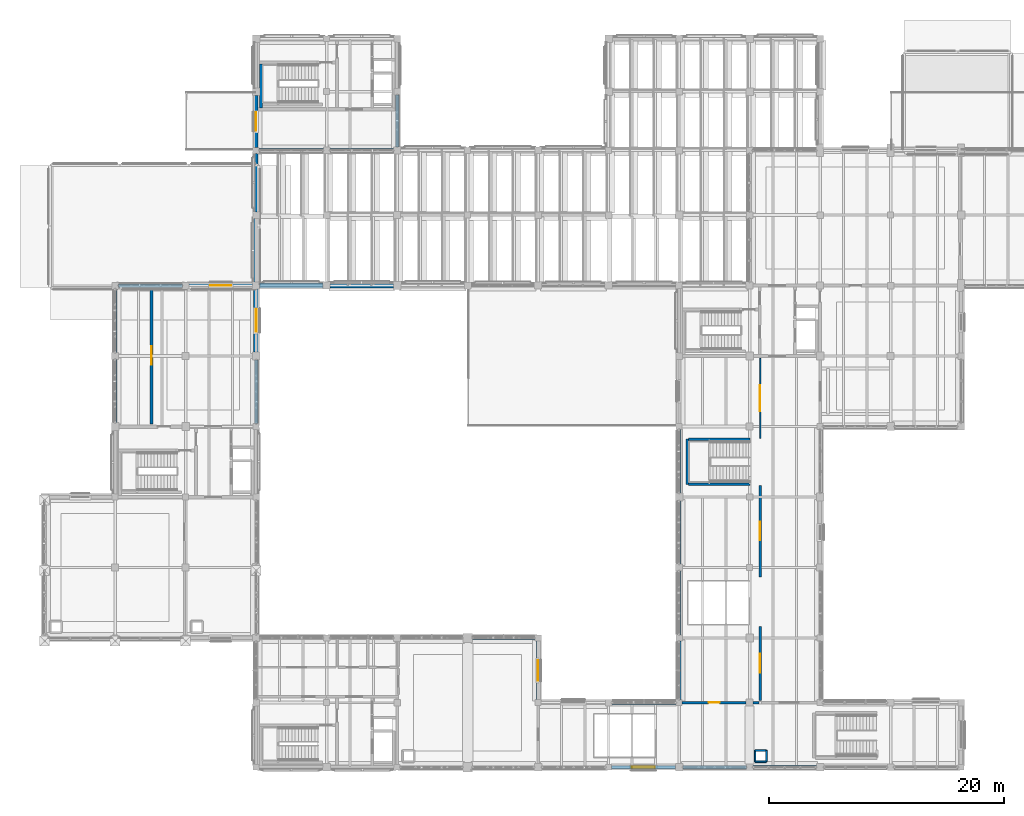
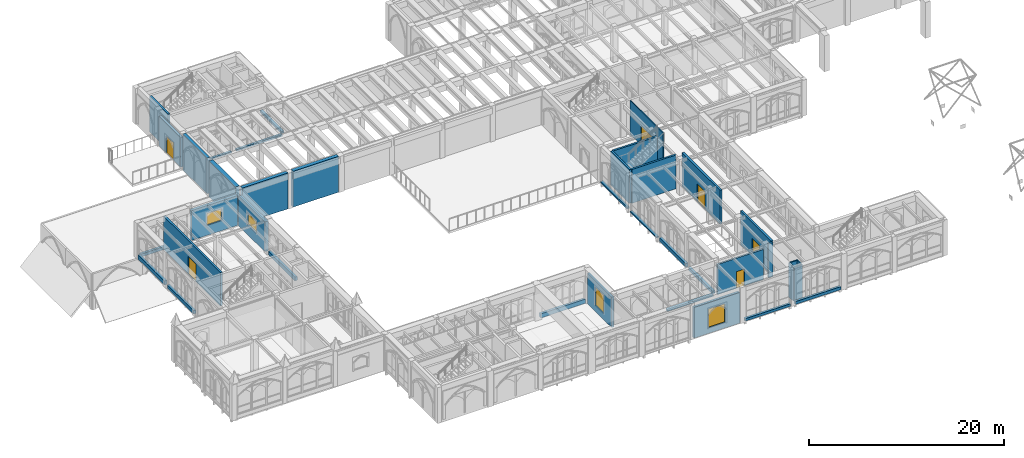
# One storey, part 77 of 127: 38 walls, 6 doors, 4 windows, 10 openings.
"""IFC4 building model written with IfcOpenShell, lengths in metres."""

from ifc_helpers import new_model, si_unit, direction, frame, frame_2d, origin, place, context, subcontext, project, spatial, rectangle, extrude, material, layer, layer_set, type_object, element, fill, save


model = new_model("IFC4")

# Units and contexts
model_context = context("Model", 3, precision=1e-05, world=origin(), true_north=direction((0.0, 1.0)))
body_context = subcontext(model_context, "Body", "Model", "MODEL_VIEW")
ifc_project = project(units=[si_unit("LENGTHUNIT", "METRE"), si_unit("AREAUNIT", "SQUARE_METRE"), si_unit("VOLUMEUNIT", "CUBIC_METRE"), si_unit("PLANEANGLEUNIT", "RADIAN"), si_unit("MASSUNIT", "GRAM", prefix="KILO")], contexts=[model_context])

# Site, building, storey
site_placement = place(None, origin())
site = spatial("IfcSite", under=ifc_project, at=site_placement, CompositionType="ELEMENT")
building_placement = place(site_placement, origin())
building = spatial("IfcBuilding", under=site, at=building_placement, Name="Cumevento Cable Car Station", CompositionType="ELEMENT")
storey_placement = place(building_placement, frame((0.0, 0.0, 4.5)))
storey = spatial("IfcBuildingStorey", under=building, at=storey_placement, Name="L02", CompositionType="ELEMENT", Elevation=4.5)

# Wall, opening, window
ifc_material_1 = material(Name="Gnaisse Facoidal Stone Ashlar 85 MPa", Category="masonry")
ifc_layer_1 = layer(ifc_material_1, 0.264892578125)
ifc_layer_set_1 = layer_set([ifc_layer_1], Name="Gnaisse Facoidal Stone Ashlar 85 MPa")
wall_type_1 = type_object("IfcWallType", Name="Exterior Envelope Wall EW-265 265", PredefinedType="SOLIDWALL", material=ifc_layer_set_1)
wall_1_placement = place(storey_placement, frame((46.0, 14.72509765625, 0.0), z_axis=(0.0, 0.0, 1.0), x_axis=(0.0, -1.0, 0.0)))
wall_1 = element("IfcWall", 1, at=wall_1_placement, inside=storey, type_object=wall_type_1, Name="Exterior Wall EW-265 L02 #91", PredefinedType="SOLIDWALL", context=body_context, shape_type="SweptSolid", body=[
    extrude(rectangle(XDim=4.97509765625, YDim=0.264892578125, at=frame_2d((2.487548828125, 0.0))), origin(), (0.0, 0.0, 1.0), 3.80908203125),
])
opening_1_placement = place(wall_1_placement, frame((1.612548828125, 0.0, 0.75)))
opening_1 = element("IfcOpeningElement", 2, at=opening_1_placement, cuts=wall_1, Name="Opening WN-L02-034", PredefinedType="OPENING", context=body_context, shape_type="SweptSolid", body=[
    extrude(rectangle(XDim=1.75, YDim=2.300048828125, at=frame_2d((0.875, 1.14990234375))), frame((0.0, 0.142333984375, 0.0), z_axis=(0.0, -1.0, 0.0), x_axis=(1.0, 0.0, 0.0)), (0.0, 0.0, 1.0), 0.284912109375),
])
ifc_material_2 = material(Name="Anodised Bronze Aluminium & Laminated Solar Glass", Category="aluminium")
window_type_1 = type_object("IfcWindowType", Name="Lancet Window WN-10 1750x2300", PartitioningType="DOUBLE_PANEL_VERTICAL", PredefinedType="WINDOW", material=ifc_material_2)
window_1_placement = place(opening_1_placement, origin())
window_1 = element("IfcWindow", 3, at=window_1_placement, inside=storey, type_object=window_type_1, Name="Lancet Window WN-L02-034 (WN-10)", OverallHeight=2.300048828125, OverallWidth=1.75, PartitioningType="SINGLE_PANEL", PredefinedType="WINDOW", context=body_context, shape_type="SweptSolid", body=[
    extrude(rectangle(XDim=1.75, YDim=2.300048828125, at=frame_2d((0.875, 1.14990234375))), frame((0.0, 0.030029296875, 0.0), z_axis=(0.0, -1.0, 0.0), x_axis=(1.0, 0.0, 0.0)), (0.0, 0.0, 1.0), 0.06005859375),
])
fill(opening_1, window_1)

# Walls
ifc_material_3 = material(Name="Gnaisse Facoidal Stone Ashlar 85 MPa", Category="masonry")
ifc_layer_2 = layer(ifc_material_3, 0.294921875)
ifc_layer_set_2 = layer_set([ifc_layer_2], Name="Gnaisse Facoidal Stone Ashlar 85 MPa")
wall_type_2 = type_object("IfcWallType", Name="Exterior Envelope Wall EW-295 295", PredefinedType="SOLIDWALL", material=ifc_layer_set_2)
wall_2_placement = place(storey_placement, frame((40.39990234375, 15.0, 0.0), z_axis=(0.0, 0.0, 1.0), x_axis=(1.0, 0.0, 0.0)))
element("IfcWall", 4, at=wall_2_placement, inside=storey, type_object=wall_type_2, Name="Exterior Sill Curb Wall EW-295 L02 #88", PredefinedType="SOLIDWALL", context=body_context, shape_type="SweptSolid", body=[
    extrude(rectangle(XDim=5.3251953125, YDim=0.294921875, at=frame_2d((2.66259765625, 0.0))), origin(), (0.0, 0.0, 1.0), 0.52001953125),
])
wall_3_placement = place(storey_placement, frame((52.27490234375, 9.5, 0.0), z_axis=(0.0, 0.0, 1.0), x_axis=(1.0, 0.0, 0.0)))
element("IfcWall", 5, at=wall_3_placement, inside=storey, type_object=wall_type_2, Name="Exterior Sill Curb Wall EW-295 L02 #95", PredefinedType="SOLIDWALL", context=body_context, shape_type="SweptSolid", body=[
    extrude(rectangle(XDim=5.47509765625, YDim=0.294921875, at=frame_2d((2.737548828125, 0.0))), origin(), (0.0, 0.0, 1.0), 0.260009765625),
])
wall_4_placement = place(storey_placement, frame((63.72509765625, 4.0, 0.0), z_axis=(0.0, 0.0, 1.0), x_axis=(-1.0, 0.0, 0.0)))
element("IfcWall", 6, at=wall_4_placement, inside=storey, type_object=wall_type_2, Name="Exterior Sill Curb Wall EW-295 L02 #96", PredefinedType="SOLIDWALL", context=body_context, shape_type="SweptSolid", body=[
    extrude(rectangle(XDim=5.400146484375, YDim=0.294921875, at=frame_2d((2.7001953125, 0.0))), origin(), (0.0, 0.0, 1.0), 0.31005859375),
])
wall_5_placement = place(storey_placement, frame((69.675048828125, 4.0, 0.0), z_axis=(0.0, 0.0, 1.0), x_axis=(-1.0, 0.0, 0.0)))
element("IfcWall", 7, at=wall_5_placement, inside=storey, type_object=wall_type_2, Name="Exterior Sill Curb Wall EW-295 L02 #97", PredefinedType="SOLIDWALL", context=body_context, shape_type="SweptSolid", body=[
    extrude(rectangle(XDim=5.400146484375, YDim=0.294921875, at=frame_2d((2.7001953125, 0.0))), origin(), (0.0, 0.0, 1.0), 0.360107421875),
])
wall_6_placement = place(storey_placement, frame((58.0, 9.75, 0.0), z_axis=(0.0, 0.0, 1.0), x_axis=(0.0, 1.0, 0.0)))
element("IfcWall", 8, at=wall_6_placement, inside=storey, type_object=wall_type_2, Name="Exterior Sill Curb Wall EW-295 L02 #110", PredefinedType="SOLIDWALL", context=body_context, shape_type="SweptSolid", body=[
    extrude(rectangle(XDim=4.97509765625, YDim=0.294921875, at=frame_2d((2.487548828125, 0.0))), origin(), (0.0, 0.0, 1.0), 0.360107421875),
])
wall_7_placement = place(storey_placement, frame((58.0, 15.27490234375, 0.0), z_axis=(0.0, 0.0, 1.0), x_axis=(0.0, 1.0, 0.0)))
element("IfcWall", 9, at=wall_7_placement, inside=storey, type_object=wall_type_2, Name="Exterior Sill Curb Wall EW-295 L02 #112", PredefinedType="SOLIDWALL", context=body_context, shape_type="SweptSolid", body=[
    extrude(rectangle(XDim=5.425048828125, YDim=0.294921875, at=frame_2d((2.71240234375, 0.0))), origin(), (0.0, 0.0, 1.0), 0.4599609375),
])
wall_8_placement = place(storey_placement, frame((58.0, 21.300048828125, 0.0), z_axis=(0.0, 0.0, 1.0), x_axis=(0.0, 1.0, 0.0)))
element("IfcWall", 10, at=wall_8_placement, inside=storey, type_object=wall_type_2, Name="Exterior Sill Curb Wall EW-295 L02 #114", PredefinedType="SOLIDWALL", context=body_context, shape_type="SweptSolid", body=[
    extrude(rectangle(XDim=5.375, YDim=0.294921875, at=frame_2d((2.6875, 0.0))), origin(), (0.0, 0.0, 1.0), 0.159912109375),
])
wall_9_placement = place(storey_placement, frame((58.0, 27.324951171875, 0.0), z_axis=(0.0, 0.0, 1.0), x_axis=(0.0, 1.0, 0.0)))
element("IfcWall", 11, at=wall_9_placement, inside=storey, type_object=wall_type_2, Name="Exterior Sill Curb Wall EW-295 L02 #116", PredefinedType="SOLIDWALL", context=body_context, shape_type="SweptSolid", body=[
    extrude(rectangle(XDim=5.425048828125, YDim=0.294921875, at=frame_2d((2.71240234375, 0.0))), origin(), (0.0, 0.0, 1.0), 0.2099609375),
])
wall_10_placement = place(storey_placement, frame((10.27490234375, 45.0, 0.0), z_axis=(0.0, 0.0, 1.0), x_axis=(1.0, 0.0, 0.0)))
element("IfcWall", 12, at=wall_10_placement, inside=storey, type_object=wall_type_2, Name="Exterior Sill Curb Wall EW-295 L02 #135", PredefinedType="SOLIDWALL", context=body_context, shape_type="SweptSolid", body=[
    extrude(rectangle(XDim=5.4501953125, YDim=0.294921875, at=frame_2d((2.72509765625, 0.0))), origin(), (0.0, 0.0, 1.0), 0.360107421875),
])
wall_11_placement = place(storey_placement, frame((10.0, 33.324951171875, 0.0), z_axis=(0.0, 0.0, 1.0), x_axis=(0.0, 1.0, 0.0)))
element("IfcWall", 13, at=wall_11_placement, inside=storey, type_object=wall_type_2, Name="Exterior Sill Curb Wall EW-295 L02 #137", PredefinedType="SOLIDWALL", context=body_context, shape_type="SweptSolid", body=[
    extrude(rectangle(XDim=5.375, YDim=0.294921875, at=frame_2d((2.6875, 0.0))), origin(), (0.0, 0.0, 1.0), 0.409912109375),
])
wall_12_placement = place(storey_placement, frame((22.0, 38.675048828125, 0.0), z_axis=(0.0, 0.0, 1.0), x_axis=(0.0, -1.0, 0.0)))
element("IfcWall", 14, at=wall_12_placement, inside=storey, type_object=wall_type_2, Name="Exterior Sill Curb Wall EW-295 L02 #138", PredefinedType="SOLIDWALL", context=body_context, shape_type="SweptSolid", body=[
    extrude(rectangle(XDim=5.425048828125, YDim=0.294921875, at=frame_2d((2.71240234375, 0.0))), origin(), (0.0, 0.0, 1.0), 0.4599609375),
])
wall_13_placement = place(storey_placement, frame((10.0, 39.300048828125, 0.0), z_axis=(0.0, 0.0, 1.0), x_axis=(0.0, 1.0, 0.0)))
element("IfcWall", 15, at=wall_13_placement, inside=storey, type_object=wall_type_2, Name="Exterior Sill Curb Wall EW-295 L02 #139", PredefinedType="SOLIDWALL", context=body_context, shape_type="SweptSolid", body=[
    extrude(rectangle(XDim=5.425048828125, YDim=0.294921875, at=frame_2d((2.71240234375, 0.0))), origin(), (0.0, 0.0, 1.0), 0.52001953125),
])
wall_14_placement = place(storey_placement, frame((27.72509765625, 56.5, 0.0), z_axis=(0.0, 0.0, 1.0), x_axis=(-1.0, 0.0, 0.0)))
element("IfcWall", 16, at=wall_14_placement, inside=storey, type_object=wall_type_2, Name="Exterior Sill Curb Wall EW-295 L02 #141", PredefinedType="SOLIDWALL", context=body_context, shape_type="SweptSolid", body=[
    extrude(rectangle(XDim=5.47509765625, YDim=0.294921875, at=frame_2d((2.737548828125, 0.0))), origin(), (0.0, 0.0, 1.0), 0.159912109375),
])
wall_15_placement = place(storey_placement, frame((33.699951171875, 56.5, 0.0), z_axis=(0.0, 0.0, 1.0), x_axis=(-1.0, 0.0, 0.0)))
element("IfcWall", 17, at=wall_15_placement, inside=storey, type_object=wall_type_2, Name="Exterior Sill Curb Wall EW-295 L02 #143", PredefinedType="SOLIDWALL", context=body_context, shape_type="SweptSolid", body=[
    extrude(rectangle(XDim=5.425048828125, YDim=0.294921875, at=frame_2d((2.71240234375, 0.0))), origin(), (0.0, 0.0, 1.0), 0.2099609375),
])

# Wall, opening, door
wall_16_placement = place(storey_placement, frame((22.0, 56.75, 0.0), z_axis=(0.0, 0.0, 1.0), x_axis=(0.0, 1.0, 0.0)))
wall_16 = element("IfcWall", 18, at=wall_16_placement, inside=storey, type_object=wall_type_2, Name="Exterior Wall EW-295 L02 #145", PredefinedType="SOLIDWALL", context=body_context, shape_type="SweptSolid", body=[
    extrude(rectangle(XDim=4.425048828125, YDim=0.294921875, at=frame_2d((2.21240234375, 0.0))), origin(), (0.0, 0.0, 1.0), 3.742919921875),
])
opening_2_placement = place(wall_16_placement, frame((1.419921875, 0.0, 0.0)))
opening_2 = element("IfcOpeningElement", 19, at=opening_2_placement, cuts=wall_16, Name="Opening DR-L02-T08", PredefinedType="OPENING", context=body_context, shape_type="SweptSolid", body=[
    extrude(rectangle(XDim=1.56005859375, YDim=2.179931640625, at=frame_2d((0.780029296875, 1.08984375))), frame((0.0, 0.157470703125, 0.0), z_axis=(0.0, -1.0, 0.0), x_axis=(1.0, 0.0, 0.0)), (0.0, 0.0, 1.0), 0.31494140625),
])
ifc_material_4 = material(Name="Anodised Bronze Aluminium & Laminated Glass", Category="aluminium")
door_type_1 = type_object("IfcDoorType", Name="Exterior Door ED-04 1560x2180", OperationType="NOTDEFINED", PredefinedType="DOOR", material=ifc_material_4)
door_1_placement = place(opening_2_placement, origin())
door_1 = element("IfcDoor", 20, at=door_1_placement, inside=storey, type_object=door_type_1, Name="Interpretation Hillside Terrace Door", OperationType="DOUBLE_DOOR_SINGLE_SWING", OverallHeight=2.179931640625, OverallWidth=1.56005859375, PredefinedType="DOOR", context=body_context, shape_type="SweptSolid", body=[
    extrude(rectangle(XDim=1.56005859375, YDim=2.179931640625, at=frame_2d((0.780029296875, 1.08984375))), frame((0.0, 0.02490234375, 0.0), z_axis=(0.0, -1.0, 0.0), x_axis=(1.0, 0.0, 0.0)), (0.0, 0.0, 1.0), 0.050048828125),
])
fill(opening_2, door_1)

# Wall
wall_17_placement = place(storey_placement, frame((34.0, 61.22509765625, 0.0), z_axis=(0.0, 0.0, 1.0), x_axis=(0.0, -1.0, 0.0)))
element("IfcWall", 21, at=wall_17_placement, inside=storey, type_object=wall_type_2, Name="Exterior Sill Curb Wall EW-295 L02 #146", PredefinedType="SOLIDWALL", context=body_context, shape_type="SweptSolid", body=[
    extrude(rectangle(XDim=4.425048828125, YDim=0.294921875, at=frame_2d((2.21240234375, 0.0))), origin(), (0.0, 0.0, 1.0), 0.260009765625),
])

# Wall, opening, window
ifc_material_5 = material(Name="Gnaisse Facoidal Stone Ashlar 85 MPa", Category="masonry")
ifc_layer_3 = layer(ifc_material_5, 0.31005859375)
ifc_layer_set_3 = layer_set([ifc_layer_3], Name="Gnaisse Facoidal Stone Ashlar 85 MPa")
wall_type_3 = type_object("IfcWallType", Name="Exterior Envelope Wall EW-310 310", PredefinedType="SOLIDWALL", material=ifc_layer_set_3)
wall_18_placement = place(storey_placement, frame((57.675048828125, 4.0, 0.0), z_axis=(0.0, 0.0, 1.0), x_axis=(-1.0, 0.0, 0.0)))
wall_18 = element("IfcWall", 22, at=wall_18_placement, inside=storey, type_object=wall_type_3, Name="Exterior Wall EW-310 L02 #94", PredefinedType="SOLIDWALL", context=body_context, shape_type="SweptSolid", body=[
    extrude(rectangle(XDim=5.425048828125, YDim=0.31005859375, at=frame_2d((2.71240234375, 0.0))), origin(), (0.0, 0.0, 1.0), 3.85693359375),
])
opening_3_placement = place(wall_18_placement, frame((1.737548828125, 0.0, 0.699951171875)))
opening_3 = element("IfcOpeningElement", 23, at=opening_3_placement, cuts=wall_18, Name="Opening WN-L02-036", PredefinedType="OPENING", context=body_context, shape_type="SweptSolid", body=[
    extrude(rectangle(XDim=1.949951171875, YDim=2.35009765625, at=frame_2d((0.97509765625, 1.175048828125))), frame((0.0, 0.1650390625, 0.0), z_axis=(0.0, -1.0, 0.0), x_axis=(1.0, 0.0, 0.0)), (0.0, 0.0, 1.0), 0.330078125),
])
ifc_material_6 = material(Name="Anodised Bronze Aluminium & Laminated Solar Glass", Category="aluminium")
window_type_2 = type_object("IfcWindowType", Name="Lancet Window WN-12 1950x2350", PartitioningType="DOUBLE_PANEL_VERTICAL", PredefinedType="WINDOW", material=ifc_material_6)
window_2_placement = place(opening_3_placement, origin())
window_2 = element("IfcWindow", 24, at=window_2_placement, inside=storey, type_object=window_type_2, Name="Lancet Window WN-L02-036 (WN-12)", OverallHeight=2.35009765625, OverallWidth=1.949951171875, PartitioningType="SINGLE_PANEL", PredefinedType="WINDOW", context=body_context, shape_type="SweptSolid", body=[
    extrude(rectangle(XDim=1.949951171875, YDim=2.35009765625, at=frame_2d((0.97509765625, 1.175048828125))), frame((0.0, 0.030029296875, 0.0), z_axis=(0.0, -1.0, 0.0), x_axis=(1.0, 0.0, 0.0)), (0.0, 0.0, 1.0), 0.06005859375),
])
fill(opening_3, window_2)

ifc_material_7 = material(Name="Concrete C40/50", Category="concrete")
ifc_layer_4 = layer(ifc_material_7, 0.35498046875)
ifc_layer_set_4 = layer_set([ifc_layer_4], Name="Concrete C40/50")
wall_type_4 = type_object("IfcWallType", Name="Exterior Envelope Wall EW-355 355", PredefinedType="SOLIDWALL", material=ifc_layer_set_4)
wall_19_placement = place(storey_placement, frame((16.27490234375, 45.0, 0.0), z_axis=(0.0, 0.0, 1.0), x_axis=(1.0, 0.0, 0.0)))
wall_19 = element("IfcWall", 25, at=wall_19_placement, inside=storey, type_object=wall_type_4, Name="Exterior Wall EW-355 L02 #136", PredefinedType="SOLIDWALL", context=body_context, shape_type="SweptSolid", body=[
    extrude(rectangle(XDim=5.425048828125, YDim=0.35498046875, at=frame_2d((2.71240234375, 0.0))), origin(), (0.0, 0.0, 1.0), 3.742919921875),
])
opening_4_placement = place(wall_19_placement, frame((1.83740234375, 0.0, 1.25)))
opening_4 = element("IfcOpeningElement", 26, at=opening_4_placement, cuts=wall_19, Name="Opening WN-L02-046", PredefinedType="OPENING", context=body_context, shape_type="SweptSolid", body=[
    extrude(rectangle(XDim=1.75, YDim=1.5, at=frame_2d((0.875, 0.75))), frame((0.0, 0.1875, 0.0), z_axis=(0.0, -1.0, 0.0), x_axis=(1.0, 0.0, 0.0)), (0.0, 0.0, 1.0), 0.375),
])
ifc_material_8 = material(Name="Anodised Bronze Aluminium & Laminated Solar Glass", Category="aluminium")
window_type_3 = type_object("IfcWindowType", Name="Lancet Window WN-22 1750x1500", PartitioningType="DOUBLE_PANEL_VERTICAL", PredefinedType="WINDOW", material=ifc_material_8)
window_3_placement = place(opening_4_placement, origin())
window_3 = element("IfcWindow", 27, at=window_3_placement, inside=storey, type_object=window_type_3, Name="Lancet Window WN-L02-046 (WN-22)", OverallHeight=1.5, OverallWidth=1.75, PartitioningType="SINGLE_PANEL", PredefinedType="WINDOW", context=body_context, shape_type="SweptSolid", body=[
    extrude(rectangle(XDim=1.75, YDim=1.5, at=frame_2d((0.875, 0.75))), frame((0.0, 0.030029296875, 0.0), z_axis=(0.0, -1.0, 0.0), x_axis=(1.0, 0.0, 0.0)), (0.0, 0.0, 1.0), 0.06005859375),
])
fill(opening_4, window_3)

ifc_material_9 = material(Name="Gnaisse Facoidal Stone Ashlar 85 MPa", Category="masonry")
ifc_layer_5 = layer(ifc_material_9, 0.4150390625)
ifc_layer_set_5 = layer_set([ifc_layer_5], Name="Gnaisse Facoidal Stone Ashlar 85 MPa")
wall_type_5 = type_object("IfcWallType", Name="Exterior Envelope Wall EW-415 415", PredefinedType="SOLIDWALL", material=ifc_layer_set_5)
wall_20_placement = place(storey_placement, frame((22.0, 44.699951171875, 0.0), z_axis=(0.0, 0.0, 1.0), x_axis=(0.0, -1.0, 0.0)))
wall_20 = element("IfcWall", 28, at=wall_20_placement, inside=storey, type_object=wall_type_5, Name="Exterior Wall EW-415 L02 #140", PredefinedType="SOLIDWALL", context=body_context, shape_type="SweptSolid", body=[
    extrude(rectangle(XDim=5.375, YDim=0.4150390625, at=frame_2d((2.6875, 0.0))), origin(), (0.0, 0.0, 1.0), 3.742919921875),
])
opening_5_placement = place(wall_20_placement, frame((1.737548828125, 0.0, 1.199951171875)))
opening_5 = element("IfcOpeningElement", 29, at=opening_5_placement, cuts=wall_20, Name="Opening WN-L02-047", PredefinedType="OPENING", context=body_context, shape_type="SweptSolid", body=[
    extrude(rectangle(XDim=1.89990234375, YDim=1.550048828125, at=frame_2d((0.949951171875, 0.77490234375))), frame((0.0, 0.217529296875, 0.0), z_axis=(0.0, -1.0, 0.0), x_axis=(1.0, 0.0, 0.0)), (0.0, 0.0, 1.0), 0.43505859375),
])
ifc_material_10 = material(Name="Anodised Bronze Aluminium & Laminated Solar Glass", Category="aluminium")
window_type_4 = type_object("IfcWindowType", Name="Lancet Window WN-23 1900x1550", PartitioningType="DOUBLE_PANEL_VERTICAL", PredefinedType="WINDOW", material=ifc_material_10)
window_4_placement = place(opening_5_placement, origin())
window_4 = element("IfcWindow", 30, at=window_4_placement, inside=storey, type_object=window_type_4, Name="Lancet Window WN-L02-047 (WN-23)", OverallHeight=1.550048828125, OverallWidth=1.89990234375, PartitioningType="SINGLE_PANEL", PredefinedType="WINDOW", context=body_context, shape_type="SweptSolid", body=[
    extrude(rectangle(XDim=1.89990234375, YDim=1.550048828125, at=frame_2d((0.949951171875, 0.77490234375))), frame((0.0, 0.030029296875, 0.0), z_axis=(0.0, -1.0, 0.0), x_axis=(1.0, 0.0, 0.0)), (0.0, 0.0, 1.0), 0.06005859375),
])
fill(opening_5, window_4)

# Wall, opening, door
ifc_material_11 = material(Name="Concrete C40/50", Category="concrete")
ifc_layer_6 = layer(ifc_material_11, 0.219970703125)
ifc_layer_set_6 = layer_set([ifc_layer_6], Name="Concrete C40/50")
wall_type_6 = type_object("IfcWallType", Name="Interior Partition FW-220 220", PredefinedType="SOLIDWALL", material=ifc_layer_set_6)
wall_21_placement = place(storey_placement, frame((58.251953125, 9.5, 0.0), z_axis=(0.0, 0.0, 1.0), x_axis=(1.0, 0.0, 0.0)))
wall_21 = element("IfcWall", 31, at=wall_21_placement, inside=storey, type_object=wall_type_6, Name="Interior Wall FW-220 L02 #598", PredefinedType="SOLIDWALL", context=body_context, shape_type="SweptSolid", body=[
    extrude(rectangle(XDim=5.446044921875, YDim=0.219970703125, at=frame_2d((2.72314453125, 0.0))), origin(), (0.0, 0.0, 1.0), 3.782958984375),
])
opening_6_placement = place(wall_21_placement, frame((2.2529296875, 0.0, 0.0)))
opening_6 = element("IfcOpeningElement", 32, at=opening_6_placement, cuts=wall_21, Name="Opening DR-L02-210", PredefinedType="OPENING", context=body_context, shape_type="SweptSolid", body=[
    extrude(rectangle(XDim=0.93994140625, YDim=2.10009765625, at=frame_2d((0.469970703125, 1.050048828125))), frame((0.0, 0.119873046875, 0.0), z_axis=(0.0, -1.0, 0.0), x_axis=(1.0, 0.0, 0.0)), (0.0, 0.0, 1.0), 0.239990234375),
])
ifc_material_12 = material(Name="Galvanised Painted Steel Fire Door", Category="steel")
door_type_2 = type_object("IfcDoorType", Name="Interior Door FD-08 940x2100", OperationType="NOTDEFINED", PredefinedType="DOOR", material=ifc_material_12)
door_2_placement = place(opening_6_placement, origin())
door_2 = element("IfcDoor", 33, at=door_2_placement, inside=storey, type_object=door_type_2, Name="Interior Door DR-L02-210 (FD-08)", OperationType="SINGLE_SWING_LEFT", OverallHeight=2.10009765625, OverallWidth=0.93994140625, PredefinedType="DOOR", context=body_context, shape_type="SweptSolid", body=[
    extrude(rectangle(XDim=0.93994140625, YDim=2.10009765625, at=frame_2d((0.469970703125, 1.050048828125))), frame((0.0, 0.02490234375, 0.0), z_axis=(0.0, -1.0, 0.0), x_axis=(1.0, 0.0, 0.0)), (0.0, 0.0, 1.0), 0.050048828125),
])
fill(opening_6, door_2)

# Wall
wall_22_placement = place(storey_placement, frame((64.302001953125, 9.5, 0.0), z_axis=(0.0, 0.0, 1.0), x_axis=(1.0, 0.0, 0.0)))
element("IfcWall", 34, at=wall_22_placement, inside=storey, type_object=wall_type_6, Name="Interior Wall FW-220 L02 #599", PredefinedType="SOLIDWALL", context=body_context, shape_type="SweptSolid", body=[
    extrude(rectangle(XDim=0.498046875, YDim=0.219970703125, at=frame_2d((0.2490234375, 0.0))), origin(), (0.0, 0.0, 1.0), 4.239990234375),
])

# Wall, opening, door
ifc_material_13 = material(Name="Gypsum Board & Insulated Stud Partition", Category="gypsum")
ifc_layer_7 = layer(ifc_material_13, 0.10498046875)
ifc_layer_set_7 = layer_set([ifc_layer_7], Name="Gypsum Board & Insulated Stud Partition")
wall_type_7 = type_object("IfcWallType", Name="Interior Partition PT-105 105", PredefinedType="PARTITIONING", material=ifc_layer_set_7)
wall_23_placement = place(storey_placement, frame((64.89990234375, 32.0, 0.0), z_axis=(0.0, 0.0, 1.0), x_axis=(0.0, 1.0, 0.0)))
wall_23 = element("IfcWall", 35, at=wall_23_placement, inside=storey, type_object=wall_type_7, Name="Interior Wall PT-105 L02 #608", PredefinedType="PARTITIONING", context=body_context, shape_type="SweptSolid", body=[
    extrude(rectangle(XDim=6.800048828125, YDim=0.10498046875, at=frame_2d((3.39990234375, 0.0))), origin(), (0.0, 0.0, 1.0), 4.239990234375),
])
opening_7_placement = place(wall_23_placement, frame((2.280029296875, 0.0, 0.0)))
opening_7 = element("IfcOpeningElement", 36, at=opening_7_placement, cuts=wall_23, Name="Opening DR-L02-217", PredefinedType="OPENING", context=body_context, shape_type="SweptSolid", body=[
    extrude(rectangle(XDim=2.239990234375, YDim=2.39990234375, at=frame_2d((1.1201171875, 1.199951171875))), frame((0.0, 0.0625, 0.0), z_axis=(0.0, -1.0, 0.0), x_axis=(1.0, 0.0, 0.0)), (0.0, 0.0, 1.0), 0.125),
])
ifc_material_14 = material(Name="Anodised Bronze Aluminium Glazed Door", Category="aluminium")
door_type_3 = type_object("IfcDoorType", Name="Interior Door ID-16 2240x2400", OperationType="NOTDEFINED", PredefinedType="DOOR", material=ifc_material_14)
door_3_placement = place(opening_7_placement, origin())
door_3 = element("IfcDoor", 37, at=door_3_placement, inside=storey, type_object=door_type_3, Name="Interior Door DR-L02-217 (ID-16)", OperationType="DOUBLE_DOOR_SINGLE_SWING", OverallHeight=2.39990234375, OverallWidth=2.239990234375, PredefinedType="DOOR", context=body_context, shape_type="SweptSolid", body=[
    extrude(rectangle(XDim=2.239990234375, YDim=2.39990234375, at=frame_2d((1.1201171875, 1.199951171875))), frame((0.0, 0.02490234375, 0.0), z_axis=(0.0, -1.0, 0.0), x_axis=(1.0, 0.0, 0.0)), (0.0, 0.0, 1.0), 0.050048828125),
])
fill(opening_7, door_3)

# Walls
ifc_material_15 = material(Name="Gypsum Board & Insulated Stud Partition", Category="gypsum")
ifc_layer_8 = layer(ifc_material_15, 0.14501953125)
ifc_layer_set_8 = layer_set([ifc_layer_8], Name="Gypsum Board & Insulated Stud Partition")
wall_type_8 = type_object("IfcWallType", Name="Interior Partition PT-145 145", PredefinedType="PARTITIONING", material=ifc_layer_set_8)
for number, where, z_axis, x_axis, name in (
    (38, (64.469970703125, 4.469970703125, 0.0), (0.0, 0.0, 1.0), (1.0, 0.0, 0.0), "Interior Wall PT-145 L02 #9"),
    (39, (65.429931640625, 4.469970703125, 0.0), (0.0, 0.0, 1.0), (0.0, 1.0, 0.0), "Interior Wall PT-145 L02 #10"),
    (40, (65.429931640625, 5.429931640625, 0.0), (0.0, 0.0, 1.0), (-1.0, 0.0, 0.0), "Interior Wall PT-145 L02 #11"),
    (41, (64.469970703125, 5.429931640625, 0.0), (0.0, 0.0, 1.0), (0.0, -1.0, 0.0), "Interior Wall PT-145 L02 #12"),
):
    element("IfcWall", number, at=place(storey_placement, frame(where, z_axis=z_axis, x_axis=x_axis)), inside=storey, type_object=wall_type_8, Name=name, PredefinedType="PARTITIONING", context=body_context, shape_type="SweptSolid", body=[
        extrude(rectangle(XDim=0.9599609375, YDim=0.14501953125, at=frame_2d((0.47998046875, 0.0))), origin(), (0.0, 0.0, 1.0), 4.263916015625),
    ])

# Wall, opening, door
ifc_material_16 = material(Name="Acoustic Masonry Block Partition", Category="masonry")
ifc_layer_9 = layer(ifc_material_16, 0.23193359375)
ifc_layer_set_9 = layer_set([ifc_layer_9], Name="Acoustic Masonry Block Partition")
wall_type_9 = type_object("IfcWallType", Name="Interior Partition PT-232 232", PredefinedType="PARTITIONING", material=ifc_layer_set_9)
wall_24_placement = place(storey_placement, frame((64.89990234375, 9.699951171875, 0.0), z_axis=(0.0, 0.0, 1.0), x_axis=(0.0, 1.0, 0.0)))
wall_24 = element("IfcWall", 42, at=wall_24_placement, inside=storey, type_object=wall_type_9, Name="Interior Wall PT-232 L02 #606", PredefinedType="PARTITIONING", context=body_context, shape_type="SweptSolid", body=[
    extrude(rectangle(XDim=6.300048828125, YDim=0.23193359375, at=frame_2d((3.14990234375, 0.0))), origin(), (0.0, 0.0, 1.0), 4.239990234375),
])
opening_8_placement = place(wall_24_placement, frame((2.360107421875, 0.0, 0.0)))
opening_8 = element("IfcOpeningElement", 43, at=opening_8_placement, cuts=wall_24, Name="Opening DR-L02-215", PredefinedType="OPENING", context=body_context, shape_type="SweptSolid", body=[
    extrude(rectangle(XDim=1.580078125, YDim=2.199951171875, at=frame_2d((0.7900390625, 1.10009765625))), frame((0.0, 0.1259765625, 0.0), z_axis=(0.0, -1.0, 0.0), x_axis=(1.0, 0.0, 0.0)), (0.0, 0.0, 1.0), 0.251953125),
])
ifc_material_17 = material(Name="Galvanised Painted Steel Fire Door", Category="steel")
door_type_4 = type_object("IfcDoorType", Name="Interior Door FD-06 1580x2200", OperationType="NOTDEFINED", PredefinedType="DOOR", material=ifc_material_17)
door_4_placement = place(opening_8_placement, origin())
door_4 = element("IfcDoor", 44, at=door_4_placement, inside=storey, type_object=door_type_4, Name="Interior Door DR-L02-215 (FD-06)", OperationType="DOUBLE_DOOR_SINGLE_SWING", OverallHeight=2.199951171875, OverallWidth=1.580078125, PredefinedType="DOOR", context=body_context, shape_type="SweptSolid", body=[
    extrude(rectangle(XDim=1.580078125, YDim=2.199951171875, at=frame_2d((0.7900390625, 1.10009765625))), frame((0.0, 0.02490234375, 0.0), z_axis=(0.0, -1.0, 0.0), x_axis=(1.0, 0.0, 0.0)), (0.0, 0.0, 1.0), 0.050048828125),
])
fill(opening_8, door_4)

wall_25_placement = place(storey_placement, frame((13.10009765625, 33.199951171875, 0.0), z_axis=(0.0, 0.0, 1.0), x_axis=(0.0, 1.0, 0.0)))
wall_25 = element("IfcWall", 45, at=wall_25_placement, inside=storey, type_object=wall_type_9, Name="Interior Wall PT-232 L02 #614", PredefinedType="PARTITIONING", context=body_context, shape_type="SweptSolid", body=[
    extrude(rectangle(XDim=11.7060546875, YDim=0.23193359375, at=frame_2d((5.85302734375, 0.0))), origin(), (0.0, 0.0, 1.0), 4.18505859375),
])
opening_9_placement = place(wall_25_placement, frame((5.06298828125, 0.0, 0.0)))
opening_9 = element("IfcOpeningElement", 46, at=opening_9_placement, cuts=wall_25, Name="Opening DR-L02-221", PredefinedType="OPENING", context=body_context, shape_type="SweptSolid", body=[
    extrude(rectangle(XDim=1.580078125, YDim=2.199951171875, at=frame_2d((0.7900390625, 1.10009765625))), frame((0.0, 0.1259765625, 0.0), z_axis=(0.0, -1.0, 0.0), x_axis=(1.0, 0.0, 0.0)), (0.0, 0.0, 1.0), 0.251953125),
])
door_5_placement = place(opening_9_placement, origin())
door_5 = element("IfcDoor", 47, at=door_5_placement, inside=storey, type_object=door_type_4, Name="Interior Door DR-L02-221 (FD-06)", OperationType="DOUBLE_DOOR_SINGLE_SWING", OverallHeight=2.199951171875, OverallWidth=1.580078125, PredefinedType="DOOR", context=body_context, shape_type="SweptSolid", body=[
    extrude(rectangle(XDim=1.580078125, YDim=2.199951171875, at=frame_2d((0.7900390625, 1.10009765625))), frame((0.0, 0.02490234375, 0.0), z_axis=(0.0, -1.0, 0.0), x_axis=(1.0, 0.0, 0.0)), (0.0, 0.0, 1.0), 0.050048828125),
])
fill(opening_9, door_5)

ifc_material_18 = material(Name="Acoustic Masonry Block Partition", Category="masonry")
ifc_layer_10 = layer(ifc_material_18, 0.2451171875)
ifc_layer_set_10 = layer_set([ifc_layer_10], Name="Acoustic Masonry Block Partition")
wall_type_10 = type_object("IfcWallType", Name="Interior Partition PT-245 245", PredefinedType="PARTITIONING", material=ifc_layer_set_10)
wall_26_placement = place(storey_placement, frame((64.89990234375, 20.199951171875, 0.0), z_axis=(0.0, 0.0, 1.0), x_axis=(0.0, 1.0, 0.0)))
wall_26 = element("IfcWall", 48, at=wall_26_placement, inside=storey, type_object=wall_type_10, Name="Interior Wall PT-245 L02 #607", PredefinedType="PARTITIONING", context=body_context, shape_type="SweptSolid", body=[
    extrude(rectangle(XDim=7.800048828125, YDim=0.2451171875, at=frame_2d((3.89990234375, 0.0))), origin(), (0.0, 0.0, 1.0), 4.239990234375),
])
opening_10_placement = place(wall_26_placement, frame((3.110107421875, 0.0, 0.0)))
opening_10 = element("IfcOpeningElement", 49, at=opening_10_placement, cuts=wall_26, Name="Opening DR-L02-216", PredefinedType="OPENING", context=body_context, shape_type="SweptSolid", body=[
    extrude(rectangle(XDim=1.580078125, YDim=2.199951171875, at=frame_2d((0.7900390625, 1.10009765625))), frame((0.0, 0.132568359375, 0.0), z_axis=(0.0, -1.0, 0.0), x_axis=(1.0, 0.0, 0.0)), (0.0, 0.0, 1.0), 0.26513671875),
])
door_6_placement = place(opening_10_placement, origin())
door_6 = element("IfcDoor", 50, at=door_6_placement, inside=storey, type_object=door_type_4, Name="Interior Door DR-L02-216 (FD-06)", OperationType="DOUBLE_DOOR_SINGLE_SWING", OverallHeight=2.199951171875, OverallWidth=1.580078125, PredefinedType="DOOR", context=body_context, shape_type="SweptSolid", body=[
    extrude(rectangle(XDim=1.580078125, YDim=2.199951171875, at=frame_2d((0.7900390625, 1.10009765625))), frame((0.0, 0.02490234375, 0.0), z_axis=(0.0, -1.0, 0.0), x_axis=(1.0, 0.0, 0.0)), (0.0, 0.0, 1.0), 0.050048828125),
])
fill(opening_10, door_6)

# Walls
ifc_material_19 = material(Name="Concrete C40/50", Category="concrete")
ifc_layer_11 = layer(ifc_material_19, 0.22998046875)
ifc_layer_set_11 = layer_set([ifc_layer_11], Name="Concrete C40/50")
wall_type_11 = type_object("IfcWallType", Name="Interior Shear Wall CW-230 230", PredefinedType="SHEAR", material=ifc_layer_set_11)
wall_27_placement = place(storey_placement, frame((22.405029296875, 60.114990234375, 0.0), z_axis=(0.0, 0.0, 1.0), x_axis=(0.0, 1.0, 0.0)))
element("IfcWall", 51, at=wall_27_placement, inside=storey, type_object=wall_type_11, Name="Interior Wall CW-230 L02 #361", PredefinedType="SHEAR", context=body_context, shape_type="SweptSolid", body=[
    extrude(rectangle(XDim=3.735107421875, YDim=0.22998046875, at=frame_2d((1.86767578125, 0.0))), origin(), (0.0, 0.0, 1.0), 4.5),
])
wall_28_placement = place(storey_placement, frame((58.679931640625, 28.080078125, 0.0), z_axis=(0.0, 0.0, 1.0), x_axis=(0.0, 1.0, 0.0)))
element("IfcWall", 52, at=wall_28_placement, inside=storey, type_object=wall_type_11, Name="Interior Wall CW-230 L02 #533", PredefinedType="SHEAR", context=body_context, shape_type="SweptSolid", body=[
    extrude(rectangle(XDim=3.83984375, YDim=0.22998046875, at=frame_2d((1.919921875, 0.0))), origin(), (0.0, 0.0, 1.0), 4.239990234375),
])
for number, where, z_axis, x_axis, name in (
    (53, (58.800048828125, 28.080078125, 0.0), (0.0, 0.0, 1.0), (1.0, 0.0, 0.0), "Interior Wall CW-230 L02 #534"),
    (54, (58.800048828125, 31.919921875, 0.0), (0.0, 0.0, 1.0), (1.0, 0.0, 0.0), "Interior Wall CW-230 L02 #535"),
):
    element("IfcWall", number, at=place(storey_placement, frame(where, z_axis=z_axis, x_axis=x_axis)), inside=storey, type_object=wall_type_11, Name=name, PredefinedType="SHEAR", context=body_context, shape_type="SweptSolid", body=[
        extrude(rectangle(XDim=5.239990234375, YDim=0.22998046875, at=frame_2d((2.6201171875, 0.0))), origin(), (0.0, 0.0, 1.0), 4.239990234375),
    ])
ifc_material_20 = material(Name="Concrete C40/50", Category="concrete")
ifc_layer_12 = layer(ifc_material_20, 0.340087890625)
ifc_layer_set_12 = layer_set([ifc_layer_12], Name="Concrete C40/50")
wall_type_12 = type_object("IfcWallType", Name="Retaining Wall RW-340 340", PredefinedType="USERDEFINED", material=ifc_layer_set_12)
wall_29_placement = place(storey_placement, frame((22.0, 51.27490234375, 0.0), z_axis=(0.0, 0.0, 1.0), x_axis=(0.0, 1.0, 0.0)))
element("IfcWall", 55, at=wall_29_placement, inside=storey, type_object=wall_type_12, Name="Retaining Wall RW-340 L02 #30", ObjectType="RETAININGWALL", PredefinedType="USERDEFINED", context=body_context, shape_type="SweptSolid", body=[
    extrude(rectangle(XDim=4.97509765625, YDim=0.340087890625, at=frame_2d((2.487548828125, 0.0))), origin(), (0.0, 0.0, 1.0), 4.5),
])
ifc_material_21 = material(Name="Concrete C40/50", Category="concrete")
ifc_layer_13 = layer(ifc_material_21, 0.409912109375)
ifc_layer_set_13 = layer_set([ifc_layer_13], Name="Concrete C40/50")
wall_type_13 = type_object("IfcWallType", Name="Retaining Wall RW-410 410", PredefinedType="USERDEFINED", material=ifc_layer_set_13)
wall_30_placement = place(storey_placement, frame((22.300048828125, 45.0, 0.0), z_axis=(0.0, 0.0, 1.0), x_axis=(1.0, 0.0, 0.0)))
element("IfcWall", 56, at=wall_30_placement, inside=storey, type_object=wall_type_13, Name="Retaining Wall RW-410 L02 #21", ObjectType="RETAININGWALL", PredefinedType="USERDEFINED", context=body_context, shape_type="SweptSolid", body=[
    extrude(rectangle(XDim=5.39990234375, YDim=0.409912109375, at=frame_2d((2.699951171875, 0.0))), origin(), (0.0, 0.0, 1.0), 4.5),
])
ifc_material_22 = material(Name="Concrete C40/50", Category="concrete")
ifc_layer_14 = layer(ifc_material_22, 0.43505859375)
ifc_layer_set_14 = layer_set([ifc_layer_14], Name="Concrete C40/50")
wall_type_14 = type_object("IfcWallType", Name="Retaining Wall RW-435 435", PredefinedType="USERDEFINED", material=ifc_layer_set_14)
wall_31_placement = place(storey_placement, frame((28.300048828125, 45.0, 0.0), z_axis=(0.0, 0.0, 1.0), x_axis=(1.0, 0.0, 0.0)))
element("IfcWall", 57, at=wall_31_placement, inside=storey, type_object=wall_type_14, Name="Retaining Wall RW-435 L02 #22", ObjectType="RETAININGWALL", PredefinedType="USERDEFINED", context=body_context, shape_type="SweptSolid", body=[
    extrude(rectangle(XDim=5.375, YDim=0.43505859375, at=frame_2d((2.6875, 0.0))), origin(), (0.0, 0.0, 1.0), 4.5),
])
ifc_material_23 = material(Name="Concrete C40/50", Category="concrete")
ifc_layer_15 = layer(ifc_material_23, 0.4599609375)
ifc_layer_set_15 = layer_set([ifc_layer_15], Name="Concrete C40/50")
wall_type_15 = type_object("IfcWallType", Name="Retaining Wall RW-460 460", PredefinedType="USERDEFINED", material=ifc_layer_set_15)
wall_32_placement = place(storey_placement, frame((22.0, 45.300048828125, 0.0), z_axis=(0.0, 0.0, 1.0), x_axis=(0.0, 1.0, 0.0)))
element("IfcWall", 58, at=wall_32_placement, inside=storey, type_object=wall_type_15, Name="Retaining Wall RW-460 L02 #29", ObjectType="RETAININGWALL", PredefinedType="USERDEFINED", context=body_context, shape_type="SweptSolid", body=[
    extrude(rectangle(XDim=5.425048828125, YDim=0.4599609375, at=frame_2d((2.71240234375, 0.0))), origin(), (0.0, 0.0, 1.0), 4.5),
])

save(model, "model.ifc")
